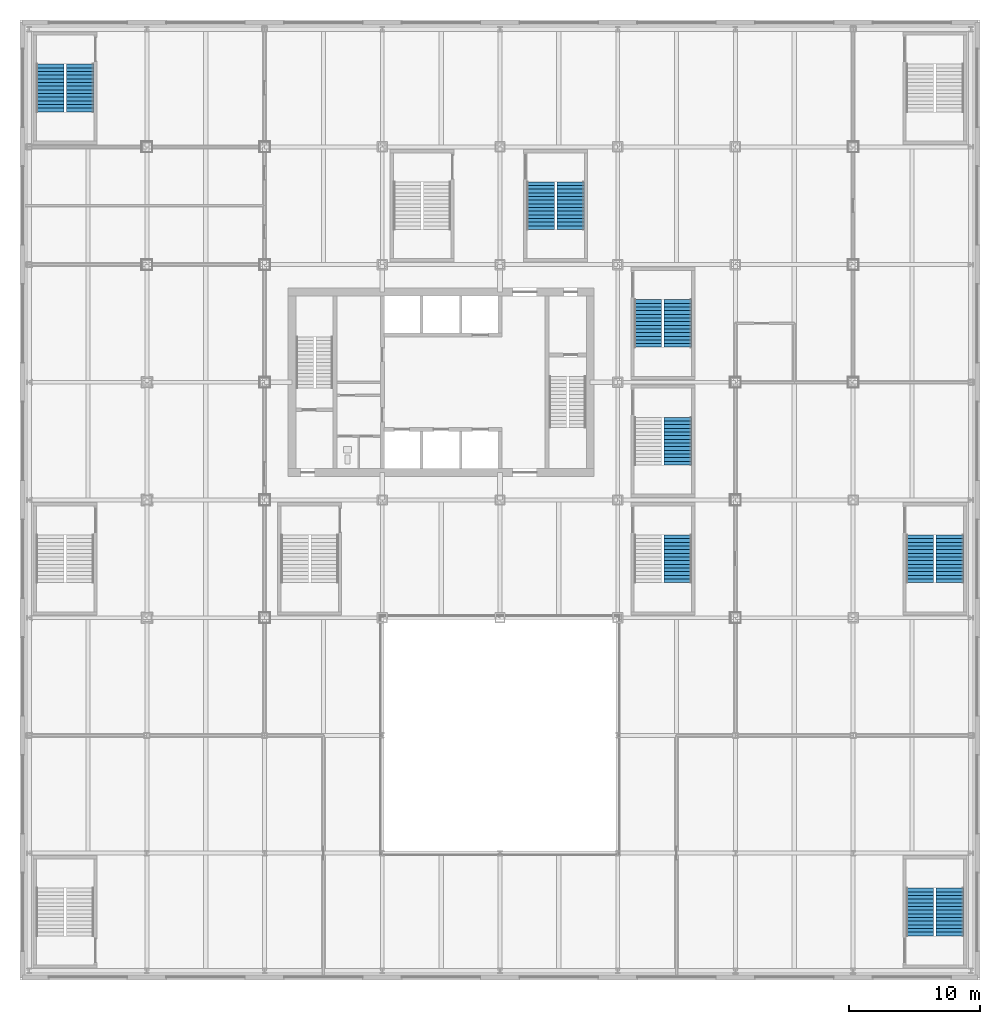
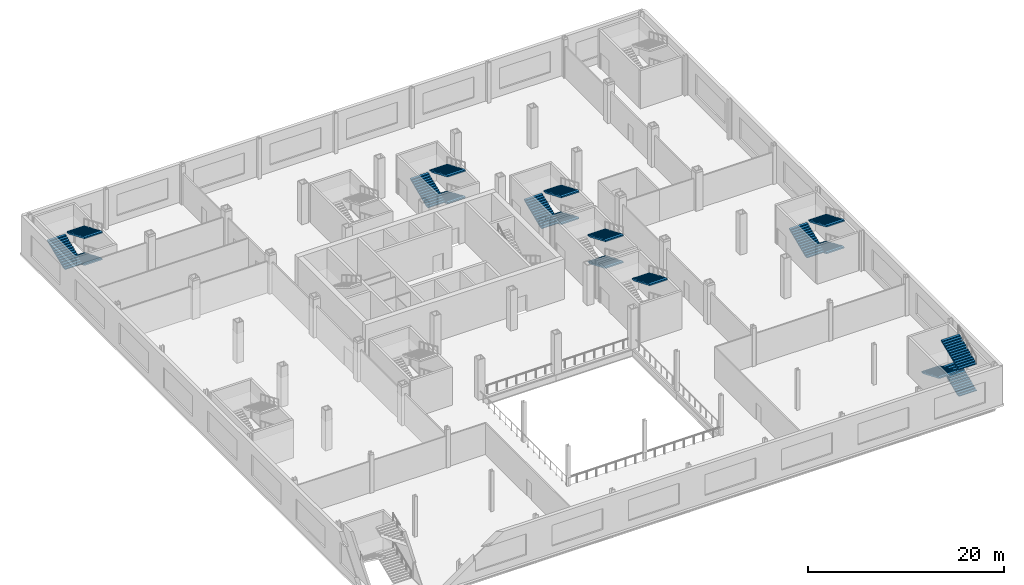
# One storey, part 17 of 28: 18 stair flights, 7 elements without a shape of their own.
"""IFC4 building model written with IfcOpenShell, lengths in metres."""

from ifc_helpers import new_model, si_unit, direction, frame, origin, place, context, subcontext, project, spatial, polyline, outline, extrude, material, type_object, element, aggregate, save


model = new_model("IFC4")

# Units and contexts
model_context = context("Model", 3, precision=1e-05, world=origin(), true_north=direction((0.0, 1.0)))
body_context = subcontext(model_context, "Body", "Model", "MODEL_VIEW")
ifc_project = project(units=[si_unit("LENGTHUNIT", "METRE"), si_unit("AREAUNIT", "SQUARE_METRE"), si_unit("VOLUMEUNIT", "CUBIC_METRE"), si_unit("PLANEANGLEUNIT", "RADIAN"), si_unit("MASSUNIT", "GRAM", prefix="KILO")], contexts=[model_context])

# Site, building, storey
site_placement = place(None, origin())
site = spatial("IfcSite", under=ifc_project, at=site_placement, CompositionType="ELEMENT")
building_placement = place(site_placement, origin())
building = spatial("IfcBuilding", under=site, at=building_placement, Name="Loomwork Tower", CompositionType="ELEMENT")
storey_placement = place(building_placement, frame((0.0, 0.0, 6.0)))
storey = spatial("IfcBuildingStorey", under=building, at=storey_placement, Name="L01", CompositionType="ELEMENT", Elevation=6.0)

# Stair, stair flights
ifc_material_1 = material(Name="Concrete 5000 psi (34 MPa) precast stair", Category="concrete")
stair_type_1 = type_object("IfcStairType", Name="Stair ST-S11P 42 risers of 119 4400 wide", PredefinedType="HALF_TURN_STAIR", material=ifc_material_1)
stair_1_placement = place(storey_placement, origin())
stair_1 = element("IfcStair", 1, at=stair_1_placement, inside=storey, type_object=stair_type_1, Name="Podium stair PS11 L01", PredefinedType="HALF_TURN_STAIR")
ifc_material_2 = material(Name="Concrete 5000 psi (34 MPa) precast stair", Category="concrete")
stair_flight_type_1 = type_object("IfcStairFlightType", Name="Stair flight ST-S11P 14 risers of 119 2100 wide", PredefinedType="STRAIGHT", material=ifc_material_2)
stair_flight_1_placement = place(storey_placement, frame((32.39990234375, 33.320068359375, 0.0), z_axis=(0.0, 0.0, 1.0), x_axis=(0.0, -1.0, 0.0)))
stair_flight_1 = element("IfcStairFlight", 2, at=stair_flight_1_placement, type_object=stair_flight_type_1, Name="ST-S11P flight 1", NumberOfRisers=14, NumberOfTreads=13, PredefinedType="STRAIGHT", RiserHeight=0.119047619, TreadLength=0.28, context=body_context, shape_type="SweptSolid", body=[
    extrude(outline(polyline([(0.0, 0.0), (0.0, 0.119140625), (0.280029296875, 0.119140625), (0.280029296875, 0.238037109375), (0.56005859375, 0.238037109375), (0.56005859375, 0.357177734375), (0.840087890625, 0.357177734375), (0.840087890625, 0.47607421875), (1.1201171875, 0.47607421875), (1.1201171875, 0.59521484375), (1.39990234375, 0.59521484375), (1.39990234375, 0.71435546875), (1.679931640625, 0.71435546875), (1.679931640625, 0.833251953125), (1.9599609375, 0.833251953125), (1.9599609375, 0.952392578125), (2.239990234375, 0.952392578125), (2.239990234375, 1.071533203125), (2.52001953125, 1.071533203125), (2.52001953125, 1.1904296875), (2.800048828125, 1.1904296875), (2.800048828125, 1.3095703125), (3.080078125, 1.3095703125), (3.080078125, 1.428466796875), (3.360107421875, 1.428466796875), (3.360107421875, 1.547607421875), (3.639892578125, 1.547607421875), (3.639892578125, 1.666748046875), (3.639892578125, 1.384765625), (0.383056640625, 0.0), (0.0, 0.0)])), frame((0.0, 1.050048828125, 0.0), z_axis=(0.0, -1.0, 0.0), x_axis=(1.0, 0.0, 0.0)), (0.0, 0.0, 1.0), 2.10009765625),
])
stair_flight_2_placement = place(storey_placement, frame((30.10009765625, 29.679931640625, 1.666748046875), z_axis=(0.0, 0.0, 1.0), x_axis=(0.0, 1.0, 0.0)))
stair_flight_2 = element("IfcStairFlight", 3, at=stair_flight_2_placement, type_object=stair_flight_type_1, Name="ST-S11P flight 2", NumberOfRisers=14, NumberOfTreads=13, PredefinedType="STRAIGHT", RiserHeight=0.119047619, TreadLength=0.28, context=body_context, shape_type="SweptSolid", body=[
    extrude(outline(polyline([(0.0, 0.0), (0.0, 0.119140625), (0.280029296875, 0.119140625), (0.280029296875, 0.238037109375), (0.56005859375, 0.238037109375), (0.56005859375, 0.357177734375), (0.840087890625, 0.357177734375), (0.840087890625, 0.47607421875), (1.1201171875, 0.47607421875), (1.1201171875, 0.59521484375), (1.39990234375, 0.59521484375), (1.39990234375, 0.71435546875), (1.679931640625, 0.71435546875), (1.679931640625, 0.833251953125), (1.9599609375, 0.833251953125), (1.9599609375, 0.952392578125), (2.239990234375, 0.952392578125), (2.239990234375, 1.071533203125), (2.52001953125, 1.071533203125), (2.52001953125, 1.1904296875), (2.800048828125, 1.1904296875), (2.800048828125, 1.3095703125), (3.080078125, 1.3095703125), (3.080078125, 1.428466796875), (3.360107421875, 1.428466796875), (3.360107421875, 1.547607421875), (3.639892578125, 1.547607421875), (3.639892578125, 1.666748046875), (3.639892578125, 1.384765625), (0.383056640625, 0.0), (0.0, 0.0)])), frame((0.0, 1.050048828125, 0.0), z_axis=(0.0, -1.0, 0.0), x_axis=(1.0, 0.0, 0.0)), (0.0, 0.0, 1.0), 2.10009765625),
])
stair_flight_3_placement = place(storey_placement, frame((32.39990234375, 33.320068359375, 3.333251953125), z_axis=(0.0, 0.0, 1.0), x_axis=(0.0, -1.0, 0.0)))
stair_flight_3 = element("IfcStairFlight", 4, at=stair_flight_3_placement, type_object=stair_flight_type_1, Name="ST-S11P flight 3", NumberOfRisers=14, NumberOfTreads=13, PredefinedType="STRAIGHT", RiserHeight=0.119047619, TreadLength=0.28, context=body_context, shape_type="SweptSolid", body=[
    extrude(outline(polyline([(0.0, 0.0), (0.0, 0.119140625), (0.280029296875, 0.119140625), (0.280029296875, 0.238037109375), (0.56005859375, 0.238037109375), (0.56005859375, 0.357177734375), (0.840087890625, 0.357177734375), (0.840087890625, 0.47607421875), (1.1201171875, 0.47607421875), (1.1201171875, 0.59521484375), (1.39990234375, 0.59521484375), (1.39990234375, 0.71435546875), (1.679931640625, 0.71435546875), (1.679931640625, 0.833251953125), (1.9599609375, 0.833251953125), (1.9599609375, 0.952392578125), (2.239990234375, 0.952392578125), (2.239990234375, 1.071533203125), (2.52001953125, 1.071533203125), (2.52001953125, 1.1904296875), (2.800048828125, 1.1904296875), (2.800048828125, 1.3095703125), (3.080078125, 1.3095703125), (3.080078125, 1.428466796875), (3.360107421875, 1.428466796875), (3.360107421875, 1.547607421875), (3.639892578125, 1.547607421875), (3.639892578125, 1.666748046875), (3.639892578125, 1.384765625), (0.383056640625, 0.0), (0.0, 0.0)])), frame((0.0, 1.050048828125, 0.0), z_axis=(0.0, -1.0, 0.0), x_axis=(1.0, 0.0, 0.0)), (0.0, 0.0, 1.0), 2.10009765625),
])
aggregate(stair_1, [stair_flight_1, stair_flight_2, stair_flight_3])

ifc_material_3 = material(Name="Concrete 5000 psi (34 MPa) precast stair", Category="concrete")
stair_type_2 = type_object("IfcStairType", Name="Stair ST-S2P 42 risers of 119 4400 wide", PredefinedType="HALF_TURN_STAIR", material=ifc_material_3)
stair_2_placement = place(storey_placement, origin())
stair_2 = element("IfcStair", 5, at=stair_2_placement, inside=storey, type_object=stair_type_2, Name="Podium stair PS2 L01", PredefinedType="HALF_TURN_STAIR")
ifc_material_4 = material(Name="Concrete 5000 psi (34 MPa) precast stair", Category="concrete")
stair_flight_type_2 = type_object("IfcStairFlightType", Name="Stair flight ST-S2P 14 risers of 119 2100 wide", PredefinedType="STRAIGHT", material=ifc_material_4)
stair_flight_4_placement = place(storey_placement, frame((61.39990234375, -24.320068359375, 0.0), z_axis=(0.0, 0.0, 1.0), x_axis=(0.0, 1.0, 0.0)))
stair_flight_4 = element("IfcStairFlight", 6, at=stair_flight_4_placement, type_object=stair_flight_type_2, Name="ST-S2P flight 1", NumberOfRisers=14, NumberOfTreads=13, PredefinedType="STRAIGHT", RiserHeight=0.119047619, TreadLength=0.28, context=body_context, shape_type="SweptSolid", body=[
    extrude(outline(polyline([(0.0, 0.0), (0.0, 0.119140625), (0.280029296875, 0.119140625), (0.280029296875, 0.238037109375), (0.56005859375, 0.238037109375), (0.56005859375, 0.357177734375), (0.840087890625, 0.357177734375), (0.840087890625, 0.47607421875), (1.1201171875, 0.47607421875), (1.1201171875, 0.59521484375), (1.39990234375, 0.59521484375), (1.39990234375, 0.71435546875), (1.679931640625, 0.71435546875), (1.679931640625, 0.833251953125), (1.9599609375, 0.833251953125), (1.9599609375, 0.952392578125), (2.239990234375, 0.952392578125), (2.239990234375, 1.071533203125), (2.52001953125, 1.071533203125), (2.52001953125, 1.1904296875), (2.800048828125, 1.1904296875), (2.800048828125, 1.3095703125), (3.080078125, 1.3095703125), (3.080078125, 1.428466796875), (3.360107421875, 1.428466796875), (3.360107421875, 1.547607421875), (3.639892578125, 1.547607421875), (3.639892578125, 1.666748046875), (3.639892578125, 1.384765625), (0.383056640625, 0.0), (0.0, 0.0)])), frame((0.0, 1.050048828125, 0.0), z_axis=(0.0, -1.0, 0.0), x_axis=(1.0, 0.0, 0.0)), (0.0, 0.0, 1.0), 2.10009765625),
])
stair_flight_5_placement = place(storey_placement, frame((59.10009765625, -20.679931640625, 1.666748046875), z_axis=(0.0, 0.0, 1.0), x_axis=(0.0, -1.0, 0.0)))
stair_flight_5 = element("IfcStairFlight", 7, at=stair_flight_5_placement, type_object=stair_flight_type_2, Name="ST-S2P flight 2", NumberOfRisers=14, NumberOfTreads=13, PredefinedType="STRAIGHT", RiserHeight=0.119047619, TreadLength=0.28, context=body_context, shape_type="SweptSolid", body=[
    extrude(outline(polyline([(0.0, 0.0), (0.0, 0.119140625), (0.280029296875, 0.119140625), (0.280029296875, 0.238037109375), (0.56005859375, 0.238037109375), (0.56005859375, 0.357177734375), (0.840087890625, 0.357177734375), (0.840087890625, 0.47607421875), (1.1201171875, 0.47607421875), (1.1201171875, 0.59521484375), (1.39990234375, 0.59521484375), (1.39990234375, 0.71435546875), (1.679931640625, 0.71435546875), (1.679931640625, 0.833251953125), (1.9599609375, 0.833251953125), (1.9599609375, 0.952392578125), (2.239990234375, 0.952392578125), (2.239990234375, 1.071533203125), (2.52001953125, 1.071533203125), (2.52001953125, 1.1904296875), (2.800048828125, 1.1904296875), (2.800048828125, 1.3095703125), (3.080078125, 1.3095703125), (3.080078125, 1.428466796875), (3.360107421875, 1.428466796875), (3.360107421875, 1.547607421875), (3.639892578125, 1.547607421875), (3.639892578125, 1.666748046875), (3.639892578125, 1.384765625), (0.383056640625, 0.0), (0.0, 0.0)])), frame((0.0, 1.050048828125, 0.0), z_axis=(0.0, -1.0, 0.0), x_axis=(1.0, 0.0, 0.0)), (0.0, 0.0, 1.0), 2.10009765625),
])
stair_flight_6_placement = place(storey_placement, frame((61.39990234375, -24.320068359375, 3.333251953125), z_axis=(0.0, 0.0, 1.0), x_axis=(0.0, 1.0, 0.0)))
stair_flight_6 = element("IfcStairFlight", 8, at=stair_flight_6_placement, type_object=stair_flight_type_2, Name="ST-S2P flight 3", NumberOfRisers=14, NumberOfTreads=13, PredefinedType="STRAIGHT", RiserHeight=0.119047619, TreadLength=0.28, context=body_context, shape_type="SweptSolid", body=[
    extrude(outline(polyline([(0.0, 0.0), (0.0, 0.119140625), (0.280029296875, 0.119140625), (0.280029296875, 0.238037109375), (0.56005859375, 0.238037109375), (0.56005859375, 0.357177734375), (0.840087890625, 0.357177734375), (0.840087890625, 0.47607421875), (1.1201171875, 0.47607421875), (1.1201171875, 0.59521484375), (1.39990234375, 0.59521484375), (1.39990234375, 0.71435546875), (1.679931640625, 0.71435546875), (1.679931640625, 0.833251953125), (1.9599609375, 0.833251953125), (1.9599609375, 0.952392578125), (2.239990234375, 0.952392578125), (2.239990234375, 1.071533203125), (2.52001953125, 1.071533203125), (2.52001953125, 1.1904296875), (2.800048828125, 1.1904296875), (2.800048828125, 1.3095703125), (3.080078125, 1.3095703125), (3.080078125, 1.428466796875), (3.360107421875, 1.428466796875), (3.360107421875, 1.547607421875), (3.639892578125, 1.547607421875), (3.639892578125, 1.666748046875), (3.639892578125, 1.384765625), (0.383056640625, 0.0), (0.0, 0.0)])), frame((0.0, 1.050048828125, 0.0), z_axis=(0.0, -1.0, 0.0), x_axis=(1.0, 0.0, 0.0)), (0.0, 0.0, 1.0), 2.10009765625),
])
aggregate(stair_2, [stair_flight_4, stair_flight_5, stair_flight_6])

ifc_material_5 = material(Name="Concrete 5000 psi (34 MPa) precast stair", Category="concrete")
stair_type_3 = type_object("IfcStairType", Name="Stair ST-S3P 42 risers of 119 4400 wide", PredefinedType="HALF_TURN_STAIR", material=ifc_material_5)
stair_3_placement = place(storey_placement, origin())
stair_3 = element("IfcStair", 9, at=stair_3_placement, inside=storey, type_object=stair_type_3, Name="Podium stair PS3 L01", PredefinedType="HALF_TURN_STAIR")
ifc_material_6 = material(Name="Concrete 5000 psi (34 MPa) precast stair", Category="concrete")
stair_flight_type_3 = type_object("IfcStairFlightType", Name="Stair flight ST-S3P 14 risers of 119 2100 wide", PredefinedType="STRAIGHT", material=ifc_material_6)
stair_flight_7_placement = place(storey_placement, frame((-5.10009765625, 42.320068359375, 0.0), z_axis=(0.0, 0.0, 1.0), x_axis=(0.0, -1.0, 0.0)))
stair_flight_7 = element("IfcStairFlight", 10, at=stair_flight_7_placement, type_object=stair_flight_type_3, Name="ST-S3P flight 1", NumberOfRisers=14, NumberOfTreads=13, PredefinedType="STRAIGHT", RiserHeight=0.119047619, TreadLength=0.28, context=body_context, shape_type="SweptSolid", body=[
    extrude(outline(polyline([(0.0, 0.0), (0.0, 0.119140625), (0.280029296875, 0.119140625), (0.280029296875, 0.238037109375), (0.56005859375, 0.238037109375), (0.56005859375, 0.357177734375), (0.840087890625, 0.357177734375), (0.840087890625, 0.47607421875), (1.1201171875, 0.47607421875), (1.1201171875, 0.59521484375), (1.39990234375, 0.59521484375), (1.39990234375, 0.71435546875), (1.679931640625, 0.71435546875), (1.679931640625, 0.833251953125), (1.9599609375, 0.833251953125), (1.9599609375, 0.952392578125), (2.239990234375, 0.952392578125), (2.239990234375, 1.071533203125), (2.52001953125, 1.071533203125), (2.52001953125, 1.1904296875), (2.800048828125, 1.1904296875), (2.800048828125, 1.3095703125), (3.080078125, 1.3095703125), (3.080078125, 1.428466796875), (3.360107421875, 1.428466796875), (3.360107421875, 1.547607421875), (3.639892578125, 1.547607421875), (3.639892578125, 1.666748046875), (3.639892578125, 1.384765625), (0.383056640625, 0.0), (0.0, 0.0)])), frame((0.0, 1.050048828125, 0.0), z_axis=(0.0, -1.0, 0.0), x_axis=(1.0, 0.0, 0.0)), (0.0, 0.0, 1.0), 2.10009765625),
])
stair_flight_8_placement = place(storey_placement, frame((-7.39990234375, 38.679931640625, 1.666748046875), z_axis=(0.0, 0.0, 1.0), x_axis=(0.0, 1.0, 0.0)))
stair_flight_8 = element("IfcStairFlight", 11, at=stair_flight_8_placement, type_object=stair_flight_type_3, Name="ST-S3P flight 2", NumberOfRisers=14, NumberOfTreads=13, PredefinedType="STRAIGHT", RiserHeight=0.119047619, TreadLength=0.28, context=body_context, shape_type="SweptSolid", body=[
    extrude(outline(polyline([(0.0, 0.0), (0.0, 0.119140625), (0.280029296875, 0.119140625), (0.280029296875, 0.238037109375), (0.56005859375, 0.238037109375), (0.56005859375, 0.357177734375), (0.840087890625, 0.357177734375), (0.840087890625, 0.47607421875), (1.1201171875, 0.47607421875), (1.1201171875, 0.59521484375), (1.39990234375, 0.59521484375), (1.39990234375, 0.71435546875), (1.679931640625, 0.71435546875), (1.679931640625, 0.833251953125), (1.9599609375, 0.833251953125), (1.9599609375, 0.952392578125), (2.239990234375, 0.952392578125), (2.239990234375, 1.071533203125), (2.52001953125, 1.071533203125), (2.52001953125, 1.1904296875), (2.800048828125, 1.1904296875), (2.800048828125, 1.3095703125), (3.080078125, 1.3095703125), (3.080078125, 1.428466796875), (3.360107421875, 1.428466796875), (3.360107421875, 1.547607421875), (3.639892578125, 1.547607421875), (3.639892578125, 1.666748046875), (3.639892578125, 1.384765625), (0.383056640625, 0.0), (0.0, 0.0)])), frame((0.0, 1.050048828125, 0.0), z_axis=(0.0, -1.0, 0.0), x_axis=(1.0, 0.0, 0.0)), (0.0, 0.0, 1.0), 2.10009765625),
])
stair_flight_9_placement = place(storey_placement, frame((-5.10009765625, 42.320068359375, 3.333251953125), z_axis=(0.0, 0.0, 1.0), x_axis=(0.0, -1.0, 0.0)))
stair_flight_9 = element("IfcStairFlight", 12, at=stair_flight_9_placement, type_object=stair_flight_type_3, Name="ST-S3P flight 3", NumberOfRisers=14, NumberOfTreads=13, PredefinedType="STRAIGHT", RiserHeight=0.119047619, TreadLength=0.28, context=body_context, shape_type="SweptSolid", body=[
    extrude(outline(polyline([(0.0, 0.0), (0.0, 0.119140625), (0.280029296875, 0.119140625), (0.280029296875, 0.238037109375), (0.56005859375, 0.238037109375), (0.56005859375, 0.357177734375), (0.840087890625, 0.357177734375), (0.840087890625, 0.47607421875), (1.1201171875, 0.47607421875), (1.1201171875, 0.59521484375), (1.39990234375, 0.59521484375), (1.39990234375, 0.71435546875), (1.679931640625, 0.71435546875), (1.679931640625, 0.833251953125), (1.9599609375, 0.833251953125), (1.9599609375, 0.952392578125), (2.239990234375, 0.952392578125), (2.239990234375, 1.071533203125), (2.52001953125, 1.071533203125), (2.52001953125, 1.1904296875), (2.800048828125, 1.1904296875), (2.800048828125, 1.3095703125), (3.080078125, 1.3095703125), (3.080078125, 1.428466796875), (3.360107421875, 1.428466796875), (3.360107421875, 1.547607421875), (3.639892578125, 1.547607421875), (3.639892578125, 1.666748046875), (3.639892578125, 1.384765625), (0.383056640625, 0.0), (0.0, 0.0)])), frame((0.0, 1.050048828125, 0.0), z_axis=(0.0, -1.0, 0.0), x_axis=(1.0, 0.0, 0.0)), (0.0, 0.0, 1.0), 2.10009765625),
])
aggregate(stair_3, [stair_flight_7, stair_flight_8, stair_flight_9])

ifc_material_7 = material(Name="Concrete 5000 psi (34 MPa) precast stair", Category="concrete")
stair_type_4 = type_object("IfcStairType", Name="Stair ST-S6P 42 risers of 119 4400 wide", PredefinedType="HALF_TURN_STAIR", material=ifc_material_7)
stair_4_placement = place(storey_placement, origin())
stair_4 = element("IfcStair", 13, at=stair_4_placement, inside=storey, type_object=stair_type_4, Name="Podium stair PS6 L01", PredefinedType="HALF_TURN_STAIR")
ifc_material_8 = material(Name="Concrete 5000 psi (34 MPa) precast stair", Category="concrete")
stair_flight_type_4 = type_object("IfcStairFlightType", Name="Stair flight ST-S6P 14 risers of 119 2100 wide", PredefinedType="STRAIGHT", material=ifc_material_8)
stair_flight_10_placement = place(storey_placement, frame((61.39990234375, 6.320068359375, 0.0), z_axis=(0.0, 0.0, 1.0), x_axis=(0.0, -1.0, 0.0)))
stair_flight_10 = element("IfcStairFlight", 14, at=stair_flight_10_placement, type_object=stair_flight_type_4, Name="ST-S6P flight 1", NumberOfRisers=14, NumberOfTreads=13, PredefinedType="STRAIGHT", RiserHeight=0.119047619, TreadLength=0.28, context=body_context, shape_type="SweptSolid", body=[
    extrude(outline(polyline([(0.0, 0.0), (0.0, 0.119140625), (0.280029296875, 0.119140625), (0.280029296875, 0.238037109375), (0.56005859375, 0.238037109375), (0.56005859375, 0.357177734375), (0.840087890625, 0.357177734375), (0.840087890625, 0.47607421875), (1.1201171875, 0.47607421875), (1.1201171875, 0.59521484375), (1.39990234375, 0.59521484375), (1.39990234375, 0.71435546875), (1.679931640625, 0.71435546875), (1.679931640625, 0.833251953125), (1.9599609375, 0.833251953125), (1.9599609375, 0.952392578125), (2.239990234375, 0.952392578125), (2.239990234375, 1.071533203125), (2.52001953125, 1.071533203125), (2.52001953125, 1.1904296875), (2.800048828125, 1.1904296875), (2.800048828125, 1.3095703125), (3.080078125, 1.3095703125), (3.080078125, 1.428466796875), (3.360107421875, 1.428466796875), (3.360107421875, 1.547607421875), (3.639892578125, 1.547607421875), (3.639892578125, 1.666748046875), (3.639892578125, 1.384765625), (0.383056640625, 0.0), (0.0, 0.0)])), frame((0.0, 1.050048828125, 0.0), z_axis=(0.0, -1.0, 0.0), x_axis=(1.0, 0.0, 0.0)), (0.0, 0.0, 1.0), 2.10009765625),
])
stair_flight_11_placement = place(storey_placement, frame((59.10009765625, 2.679931640625, 1.666748046875), z_axis=(0.0, 0.0, 1.0), x_axis=(0.0, 1.0, 0.0)))
stair_flight_11 = element("IfcStairFlight", 15, at=stair_flight_11_placement, type_object=stair_flight_type_4, Name="ST-S6P flight 2", NumberOfRisers=14, NumberOfTreads=13, PredefinedType="STRAIGHT", RiserHeight=0.119047619, TreadLength=0.28, context=body_context, shape_type="SweptSolid", body=[
    extrude(outline(polyline([(0.0, 0.0), (0.0, 0.119140625), (0.280029296875, 0.119140625), (0.280029296875, 0.238037109375), (0.56005859375, 0.238037109375), (0.56005859375, 0.357177734375), (0.840087890625, 0.357177734375), (0.840087890625, 0.47607421875), (1.1201171875, 0.47607421875), (1.1201171875, 0.59521484375), (1.39990234375, 0.59521484375), (1.39990234375, 0.71435546875), (1.679931640625, 0.71435546875), (1.679931640625, 0.833251953125), (1.9599609375, 0.833251953125), (1.9599609375, 0.952392578125), (2.239990234375, 0.952392578125), (2.239990234375, 1.071533203125), (2.52001953125, 1.071533203125), (2.52001953125, 1.1904296875), (2.800048828125, 1.1904296875), (2.800048828125, 1.3095703125), (3.080078125, 1.3095703125), (3.080078125, 1.428466796875), (3.360107421875, 1.428466796875), (3.360107421875, 1.547607421875), (3.639892578125, 1.547607421875), (3.639892578125, 1.666748046875), (3.639892578125, 1.384765625), (0.383056640625, 0.0), (0.0, 0.0)])), frame((0.0, 1.050048828125, 0.0), z_axis=(0.0, -1.0, 0.0), x_axis=(1.0, 0.0, 0.0)), (0.0, 0.0, 1.0), 2.10009765625),
])
stair_flight_12_placement = place(storey_placement, frame((61.39990234375, 6.320068359375, 3.333251953125), z_axis=(0.0, 0.0, 1.0), x_axis=(0.0, -1.0, 0.0)))
stair_flight_12 = element("IfcStairFlight", 16, at=stair_flight_12_placement, type_object=stair_flight_type_4, Name="ST-S6P flight 3", NumberOfRisers=14, NumberOfTreads=13, PredefinedType="STRAIGHT", RiserHeight=0.119047619, TreadLength=0.28, context=body_context, shape_type="SweptSolid", body=[
    extrude(outline(polyline([(0.0, 0.0), (0.0, 0.119140625), (0.280029296875, 0.119140625), (0.280029296875, 0.238037109375), (0.56005859375, 0.238037109375), (0.56005859375, 0.357177734375), (0.840087890625, 0.357177734375), (0.840087890625, 0.47607421875), (1.1201171875, 0.47607421875), (1.1201171875, 0.59521484375), (1.39990234375, 0.59521484375), (1.39990234375, 0.71435546875), (1.679931640625, 0.71435546875), (1.679931640625, 0.833251953125), (1.9599609375, 0.833251953125), (1.9599609375, 0.952392578125), (2.239990234375, 0.952392578125), (2.239990234375, 1.071533203125), (2.52001953125, 1.071533203125), (2.52001953125, 1.1904296875), (2.800048828125, 1.1904296875), (2.800048828125, 1.3095703125), (3.080078125, 1.3095703125), (3.080078125, 1.428466796875), (3.360107421875, 1.428466796875), (3.360107421875, 1.547607421875), (3.639892578125, 1.547607421875), (3.639892578125, 1.666748046875), (3.639892578125, 1.384765625), (0.383056640625, 0.0), (0.0, 0.0)])), frame((0.0, 1.050048828125, 0.0), z_axis=(0.0, -1.0, 0.0), x_axis=(1.0, 0.0, 0.0)), (0.0, 0.0, 1.0), 2.10009765625),
])
aggregate(stair_4, [stair_flight_10, stair_flight_11, stair_flight_12])

# Stair, stair flight
ifc_material_9 = material(Name="Concrete 5000 psi (34 MPa) precast stair", Category="concrete")
stair_type_5 = type_object("IfcStairType", Name="Stair ST-S7P 42 risers of 119 4400 wide", PredefinedType="HALF_TURN_STAIR", material=ifc_material_9)
stair_5_placement = place(storey_placement, origin())
stair_5 = element("IfcStair", 17, at=stair_5_placement, inside=storey, type_object=stair_type_5, Name="Podium stair PS7 L01", PredefinedType="HALF_TURN_STAIR")
ifc_material_10 = material(Name="Concrete 5000 psi (34 MPa) precast stair", Category="concrete")
stair_flight_type_5 = type_object("IfcStairFlightType", Name="Stair flight ST-S7P 14 risers of 119 2100 wide", PredefinedType="STRAIGHT", material=ifc_material_10)
stair_flight_13_placement = place(storey_placement, frame((40.60009765625, 6.320068359375, 3.333251953125), z_axis=(0.0, 0.0, 1.0), x_axis=(0.0, -1.0, 0.0)))
stair_flight_13 = element("IfcStairFlight", 18, at=stair_flight_13_placement, type_object=stair_flight_type_5, Name="ST-S7P flight 3", NumberOfRisers=14, NumberOfTreads=13, PredefinedType="STRAIGHT", RiserHeight=0.119047619, TreadLength=0.28, context=body_context, shape_type="SweptSolid", body=[
    extrude(outline(polyline([(0.0, 0.0), (0.0, 0.119140625), (0.280029296875, 0.119140625), (0.280029296875, 0.238037109375), (0.56005859375, 0.238037109375), (0.56005859375, 0.357177734375), (0.840087890625, 0.357177734375), (0.840087890625, 0.47607421875), (1.1201171875, 0.47607421875), (1.1201171875, 0.59521484375), (1.39990234375, 0.59521484375), (1.39990234375, 0.71435546875), (1.679931640625, 0.71435546875), (1.679931640625, 0.833251953125), (1.9599609375, 0.833251953125), (1.9599609375, 0.952392578125), (2.239990234375, 0.952392578125), (2.239990234375, 1.071533203125), (2.52001953125, 1.071533203125), (2.52001953125, 1.1904296875), (2.800048828125, 1.1904296875), (2.800048828125, 1.3095703125), (3.080078125, 1.3095703125), (3.080078125, 1.428466796875), (3.360107421875, 1.428466796875), (3.360107421875, 1.547607421875), (3.639892578125, 1.547607421875), (3.639892578125, 1.666748046875), (3.639892578125, 1.384765625), (0.383056640625, 0.0), (0.0, 0.0)])), frame((0.0, 1.050048828125, 0.0), z_axis=(0.0, -1.0, 0.0), x_axis=(1.0, 0.0, 0.0)), (0.0, 0.0, 1.0), 2.10009765625),
])
aggregate(stair_5, [stair_flight_13])

# Stair, stair flights
ifc_material_11 = material(Name="Concrete 5000 psi (34 MPa) precast stair", Category="concrete")
stair_type_6 = type_object("IfcStairType", Name="Stair ST-S8P 42 risers of 119 4400 wide", PredefinedType="HALF_TURN_STAIR", material=ifc_material_11)
stair_6_placement = place(storey_placement, origin())
stair_6 = element("IfcStair", 19, at=stair_6_placement, inside=storey, type_object=stair_type_6, Name="Podium stair PS8 L01", PredefinedType="HALF_TURN_STAIR")
ifc_material_12 = material(Name="Concrete 5000 psi (34 MPa) precast stair", Category="concrete")
stair_flight_type_6 = type_object("IfcStairFlightType", Name="Stair flight ST-S8P 14 risers of 119 2100 wide", PredefinedType="STRAIGHT", material=ifc_material_12)
stair_flight_14_placement = place(storey_placement, frame((40.60009765625, 15.320068359375, 0.0), z_axis=(0.0, 0.0, 1.0), x_axis=(0.0, -1.0, 0.0)))
stair_flight_14 = element("IfcStairFlight", 20, at=stair_flight_14_placement, type_object=stair_flight_type_6, Name="ST-S8P flight 1", NumberOfRisers=14, NumberOfTreads=13, PredefinedType="STRAIGHT", RiserHeight=0.119047619, TreadLength=0.28, context=body_context, shape_type="SweptSolid", body=[
    extrude(outline(polyline([(0.0, 0.0), (0.0, 0.119140625), (0.280029296875, 0.119140625), (0.280029296875, 0.238037109375), (0.56005859375, 0.238037109375), (0.56005859375, 0.357177734375), (0.840087890625, 0.357177734375), (0.840087890625, 0.47607421875), (1.1201171875, 0.47607421875), (1.1201171875, 0.59521484375), (1.39990234375, 0.59521484375), (1.39990234375, 0.71435546875), (1.679931640625, 0.71435546875), (1.679931640625, 0.833251953125), (1.9599609375, 0.833251953125), (1.9599609375, 0.952392578125), (2.239990234375, 0.952392578125), (2.239990234375, 1.071533203125), (2.52001953125, 1.071533203125), (2.52001953125, 1.1904296875), (2.800048828125, 1.1904296875), (2.800048828125, 1.3095703125), (3.080078125, 1.3095703125), (3.080078125, 1.428466796875), (3.360107421875, 1.428466796875), (3.360107421875, 1.547607421875), (3.639892578125, 1.547607421875), (3.639892578125, 1.666748046875), (3.639892578125, 1.384765625), (0.383056640625, 0.0), (0.0, 0.0)])), frame((0.0, 1.050048828125, 0.0), z_axis=(0.0, -1.0, 0.0), x_axis=(1.0, 0.0, 0.0)), (0.0, 0.0, 1.0), 2.10009765625),
])
stair_flight_15_placement = place(storey_placement, frame((40.60009765625, 15.320068359375, 3.333251953125), z_axis=(0.0, 0.0, 1.0), x_axis=(0.0, -1.0, 0.0)))
stair_flight_15 = element("IfcStairFlight", 21, at=stair_flight_15_placement, type_object=stair_flight_type_6, Name="ST-S8P flight 3", NumberOfRisers=14, NumberOfTreads=13, PredefinedType="STRAIGHT", RiserHeight=0.119047619, TreadLength=0.28, context=body_context, shape_type="SweptSolid", body=[
    extrude(outline(polyline([(0.0, 0.0), (0.0, 0.119140625), (0.280029296875, 0.119140625), (0.280029296875, 0.238037109375), (0.56005859375, 0.238037109375), (0.56005859375, 0.357177734375), (0.840087890625, 0.357177734375), (0.840087890625, 0.47607421875), (1.1201171875, 0.47607421875), (1.1201171875, 0.59521484375), (1.39990234375, 0.59521484375), (1.39990234375, 0.71435546875), (1.679931640625, 0.71435546875), (1.679931640625, 0.833251953125), (1.9599609375, 0.833251953125), (1.9599609375, 0.952392578125), (2.239990234375, 0.952392578125), (2.239990234375, 1.071533203125), (2.52001953125, 1.071533203125), (2.52001953125, 1.1904296875), (2.800048828125, 1.1904296875), (2.800048828125, 1.3095703125), (3.080078125, 1.3095703125), (3.080078125, 1.428466796875), (3.360107421875, 1.428466796875), (3.360107421875, 1.547607421875), (3.639892578125, 1.547607421875), (3.639892578125, 1.666748046875), (3.639892578125, 1.384765625), (0.383056640625, 0.0), (0.0, 0.0)])), frame((0.0, 1.050048828125, 0.0), z_axis=(0.0, -1.0, 0.0), x_axis=(1.0, 0.0, 0.0)), (0.0, 0.0, 1.0), 2.10009765625),
])
aggregate(stair_6, [stair_flight_14, stair_flight_15])

ifc_material_13 = material(Name="Concrete 5000 psi (34 MPa) precast stair", Category="concrete")
stair_type_7 = type_object("IfcStairType", Name="Stair ST-S9P 42 risers of 119 4400 wide", PredefinedType="HALF_TURN_STAIR", material=ifc_material_13)
stair_7_placement = place(storey_placement, origin())
stair_7 = element("IfcStair", 22, at=stair_7_placement, inside=storey, type_object=stair_type_7, Name="Podium stair PS9 L01", PredefinedType="HALF_TURN_STAIR")
ifc_material_14 = material(Name="Concrete 5000 psi (34 MPa) precast stair", Category="concrete")
stair_flight_type_7 = type_object("IfcStairFlightType", Name="Stair flight ST-S9P 14 risers of 119 2100 wide", PredefinedType="STRAIGHT", material=ifc_material_14)
stair_flight_16_placement = place(storey_placement, frame((40.60009765625, 24.320068359375, 0.0), z_axis=(0.0, 0.0, 1.0), x_axis=(0.0, -1.0, 0.0)))
stair_flight_16 = element("IfcStairFlight", 23, at=stair_flight_16_placement, type_object=stair_flight_type_7, Name="ST-S9P flight 1", NumberOfRisers=14, NumberOfTreads=13, PredefinedType="STRAIGHT", RiserHeight=0.119047619, TreadLength=0.28, context=body_context, shape_type="SweptSolid", body=[
    extrude(outline(polyline([(0.0, 0.0), (0.0, 0.119140625), (0.280029296875, 0.119140625), (0.280029296875, 0.238037109375), (0.56005859375, 0.238037109375), (0.56005859375, 0.357177734375), (0.840087890625, 0.357177734375), (0.840087890625, 0.47607421875), (1.1201171875, 0.47607421875), (1.1201171875, 0.59521484375), (1.39990234375, 0.59521484375), (1.39990234375, 0.71435546875), (1.679931640625, 0.71435546875), (1.679931640625, 0.833251953125), (1.9599609375, 0.833251953125), (1.9599609375, 0.952392578125), (2.239990234375, 0.952392578125), (2.239990234375, 1.071533203125), (2.52001953125, 1.071533203125), (2.52001953125, 1.1904296875), (2.800048828125, 1.1904296875), (2.800048828125, 1.3095703125), (3.080078125, 1.3095703125), (3.080078125, 1.428466796875), (3.360107421875, 1.428466796875), (3.360107421875, 1.547607421875), (3.639892578125, 1.547607421875), (3.639892578125, 1.666748046875), (3.639892578125, 1.384765625), (0.383056640625, 0.0), (0.0, 0.0)])), frame((0.0, 1.050048828125, 0.0), z_axis=(0.0, -1.0, 0.0), x_axis=(1.0, 0.0, 0.0)), (0.0, 0.0, 1.0), 2.10009765625),
])
stair_flight_17_placement = place(storey_placement, frame((38.300048828125, 20.679931640625, 1.666748046875), z_axis=(0.0, 0.0, 1.0), x_axis=(0.0, 1.0, 0.0)))
stair_flight_17 = element("IfcStairFlight", 24, at=stair_flight_17_placement, type_object=stair_flight_type_7, Name="ST-S9P flight 2", NumberOfRisers=14, NumberOfTreads=13, PredefinedType="STRAIGHT", RiserHeight=0.119047619, TreadLength=0.28, context=body_context, shape_type="SweptSolid", body=[
    extrude(outline(polyline([(0.0, 0.0), (0.0, 0.119140625), (0.280029296875, 0.119140625), (0.280029296875, 0.238037109375), (0.56005859375, 0.238037109375), (0.56005859375, 0.357177734375), (0.840087890625, 0.357177734375), (0.840087890625, 0.47607421875), (1.1201171875, 0.47607421875), (1.1201171875, 0.59521484375), (1.39990234375, 0.59521484375), (1.39990234375, 0.71435546875), (1.679931640625, 0.71435546875), (1.679931640625, 0.833251953125), (1.9599609375, 0.833251953125), (1.9599609375, 0.952392578125), (2.239990234375, 0.952392578125), (2.239990234375, 1.071533203125), (2.52001953125, 1.071533203125), (2.52001953125, 1.1904296875), (2.800048828125, 1.1904296875), (2.800048828125, 1.3095703125), (3.080078125, 1.3095703125), (3.080078125, 1.428466796875), (3.360107421875, 1.428466796875), (3.360107421875, 1.547607421875), (3.639892578125, 1.547607421875), (3.639892578125, 1.666748046875), (3.639892578125, 1.384765625), (0.383056640625, 0.0), (0.0, 0.0)])), frame((0.0, 1.050048828125, 0.0), z_axis=(0.0, -1.0, 0.0), x_axis=(1.0, 0.0, 0.0)), (0.0, 0.0, 1.0), 2.10009765625),
])
stair_flight_18_placement = place(storey_placement, frame((40.60009765625, 24.320068359375, 3.333251953125), z_axis=(0.0, 0.0, 1.0), x_axis=(0.0, -1.0, 0.0)))
stair_flight_18 = element("IfcStairFlight", 25, at=stair_flight_18_placement, type_object=stair_flight_type_7, Name="ST-S9P flight 3", NumberOfRisers=14, NumberOfTreads=13, PredefinedType="STRAIGHT", RiserHeight=0.119047619, TreadLength=0.28, context=body_context, shape_type="SweptSolid", body=[
    extrude(outline(polyline([(0.0, 0.0), (0.0, 0.119140625), (0.280029296875, 0.119140625), (0.280029296875, 0.238037109375), (0.56005859375, 0.238037109375), (0.56005859375, 0.357177734375), (0.840087890625, 0.357177734375), (0.840087890625, 0.47607421875), (1.1201171875, 0.47607421875), (1.1201171875, 0.59521484375), (1.39990234375, 0.59521484375), (1.39990234375, 0.71435546875), (1.679931640625, 0.71435546875), (1.679931640625, 0.833251953125), (1.9599609375, 0.833251953125), (1.9599609375, 0.952392578125), (2.239990234375, 0.952392578125), (2.239990234375, 1.071533203125), (2.52001953125, 1.071533203125), (2.52001953125, 1.1904296875), (2.800048828125, 1.1904296875), (2.800048828125, 1.3095703125), (3.080078125, 1.3095703125), (3.080078125, 1.428466796875), (3.360107421875, 1.428466796875), (3.360107421875, 1.547607421875), (3.639892578125, 1.547607421875), (3.639892578125, 1.666748046875), (3.639892578125, 1.384765625), (0.383056640625, 0.0), (0.0, 0.0)])), frame((0.0, 1.050048828125, 0.0), z_axis=(0.0, -1.0, 0.0), x_axis=(1.0, 0.0, 0.0)), (0.0, 0.0, 1.0), 2.10009765625),
])
aggregate(stair_7, [stair_flight_16, stair_flight_17, stair_flight_18])

save(model, "model.ifc")
